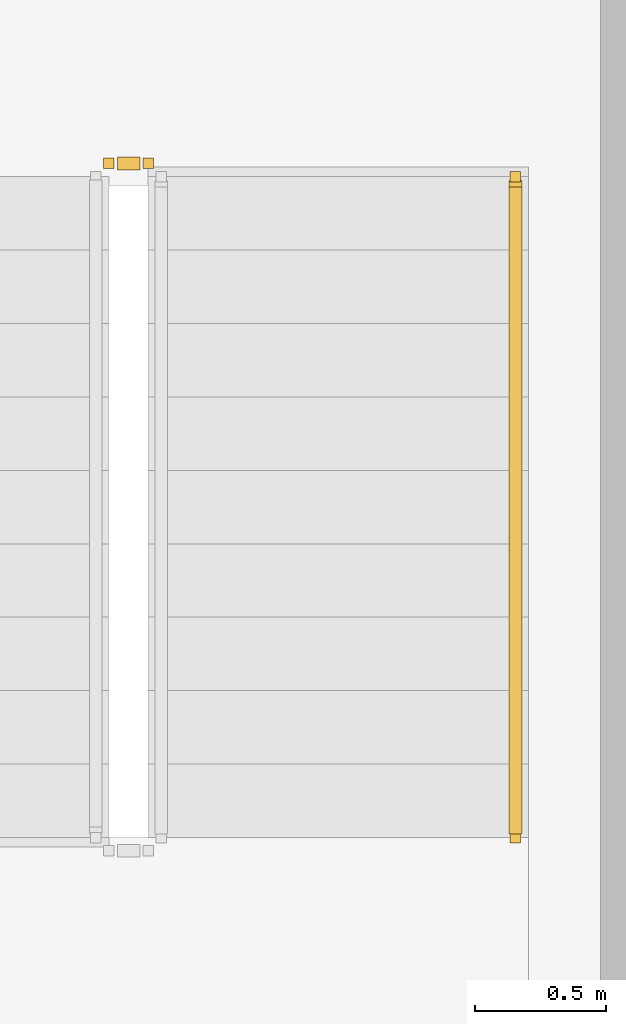
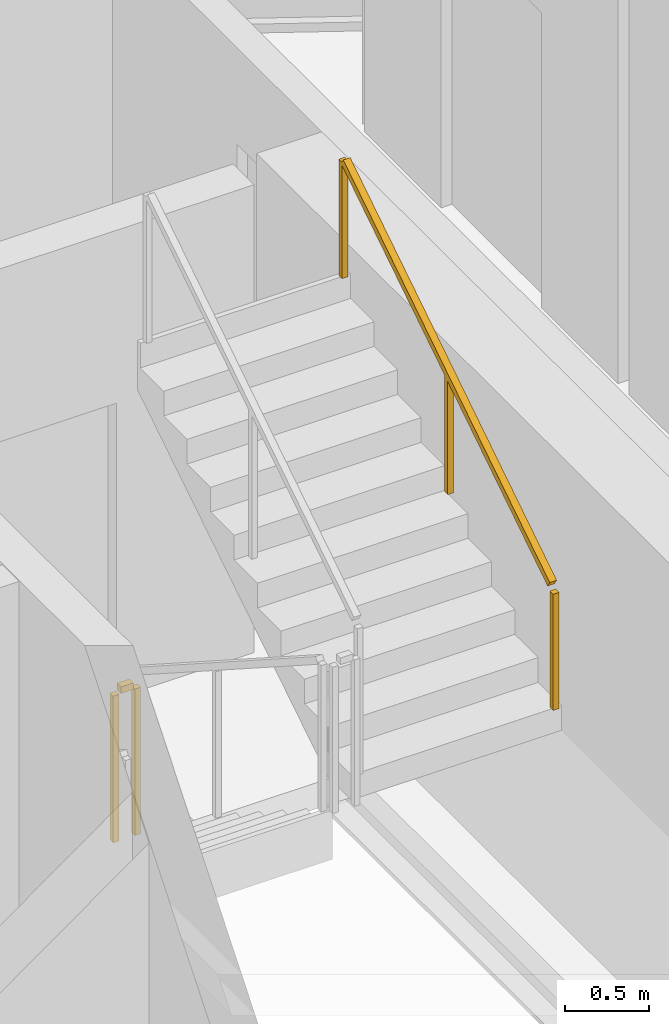
# One storey, part 19 of 20: 2 railings.
"""IFC4 building model written with IfcOpenShell, lengths in metres."""

from ifc_helpers import new_model, si_unit, direction, frame, origin, origin_2d, place, context, subcontext, project, spatial, rectangle, extrude, material, type_object, element, save


model = new_model("IFC4")

# Units and contexts
model_context = context("Model", 3, precision=1e-05, world=origin(), true_north=direction((0.0, 1.0)))
body_context = subcontext(model_context, "Body", "Model", "MODEL_VIEW")
ifc_project = project(units=[si_unit("LENGTHUNIT", "METRE"), si_unit("AREAUNIT", "SQUARE_METRE"), si_unit("VOLUMEUNIT", "CUBIC_METRE"), si_unit("PLANEANGLEUNIT", "RADIAN"), si_unit("MASSUNIT", "GRAM", prefix="KILO")], contexts=[model_context])

# Site, building, storey
site_placement = place(None, origin())
site = spatial("IfcSite", under=ifc_project, at=site_placement, CompositionType="ELEMENT")
building_placement = place(site_placement, origin())
building = spatial("IfcBuilding", under=site, at=building_placement, Name="Tharavind Bronze Gate", CompositionType="ELEMENT")
storey_placement = place(building_placement, frame((0.0, 0.0, 149.60009765625)))
storey = spatial("IfcBuildingStorey", under=building, at=storey_placement, Name="L38", CompositionType="ELEMENT", Elevation=149.60009765625)

# Railings
ifc_material = material(Name="Brushed Bronze Alloy", Category="metal")
railing_type_1 = type_object("IfcRailingType", Name="STAIR BRONZE HANDRAIL 900", PredefinedType="HANDRAIL", material=ifc_material)
railing_1_placement = place(storey_placement, frame((8.35009765625, -0.27001953125, 1.97998046875)))
element("IfcRailing", 1, at=railing_1_placement, inside=storey, type_object=railing_type_1, Name="L38 ST2 stair handrail 2", PredefinedType="HANDRAIL", context=body_context, shape_type="SweptSolid", body=[
    extrude(rectangle(XDim=0.048095703125, YDim=0.048095703125, at=origin_2d()), frame((0.0, 0.02685546875, 0.89306640625), z_axis=(0.0, 0.841199657755, 0.540724639528), x_axis=(-1.0, 0.0, 0.0)), (0.0, 0.0, 1.0), 2.931640625),
    extrude(rectangle(XDim=0.0400390625, YDim=0.0400390625, at=origin_2d()), origin(), (0.0, 0.0, 1.0), 0.847900390625),
    extrude(rectangle(XDim=0.0400390625, YDim=0.0400390625, at=origin_2d()), frame((0.0, 1.260009765625, 0.81005859375)), (0.0, 0.0, 1.0), 0.847900390625),
    extrude(rectangle(XDim=0.0400390625, YDim=0.0400390625, at=origin_2d()), frame((0.0, 2.52001953125, 1.619873046875)), (0.0, 0.0, 1.0), 0.847900390625),
])
railing_type_2 = type_object("IfcRailingType", Name="STAIR WELL GUARD RAILING 1120", PredefinedType="GUARDRAIL", material=ifc_material)
railing_2_placement = place(storey_placement, frame((6.800048828125, 2.300048828125, 0.0)))
element("IfcRailing", 2, at=railing_2_placement, inside=storey, type_object=railing_type_2, Name="L38 ST2 stair guard 4", PredefinedType="GUARDRAIL", context=body_context, shape_type="SweptSolid", body=[
    extrude(rectangle(XDim=0.048095703125, YDim=0.048095703125, at=origin_2d()), frame((0.031982421875, 0.0, 1.09619140625), z_axis=(1.0, 0.0, 0.0), x_axis=(0.0, 1.0, 0.0)), (0.0, 0.0, 1.0), 0.0859375),
    extrude(rectangle(XDim=0.0400390625, YDim=0.0400390625, at=origin_2d()), origin(), (0.0, 0.0, 1.0), 1.068115234375),
    extrude(rectangle(XDim=0.0400390625, YDim=0.0400390625, at=origin_2d()), frame((0.14990234375, 0.0, 0.0)), (0.0, 0.0, 1.0), 1.068115234375),
])

save(model, "model.ifc")
